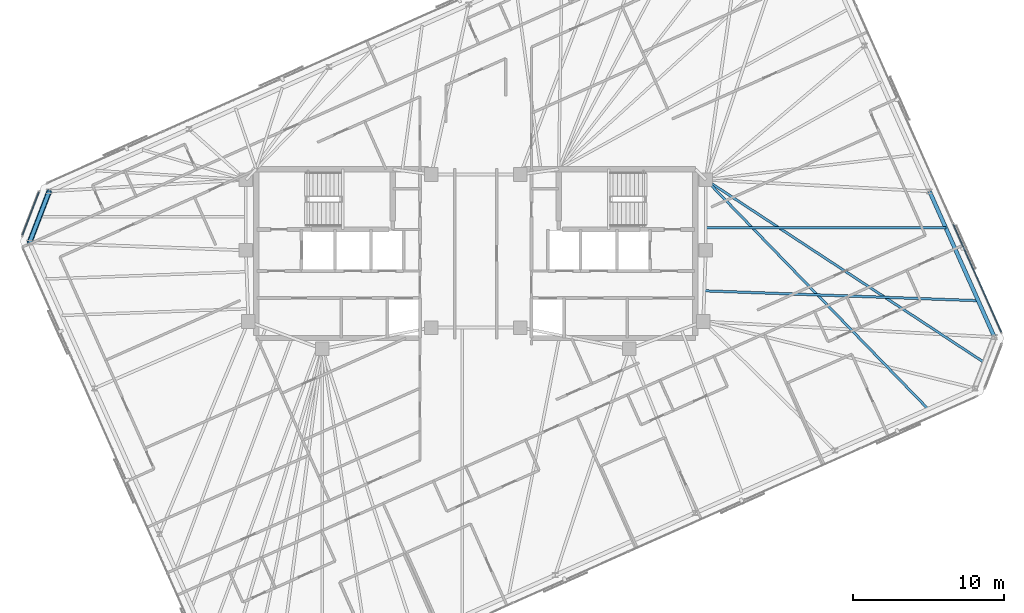
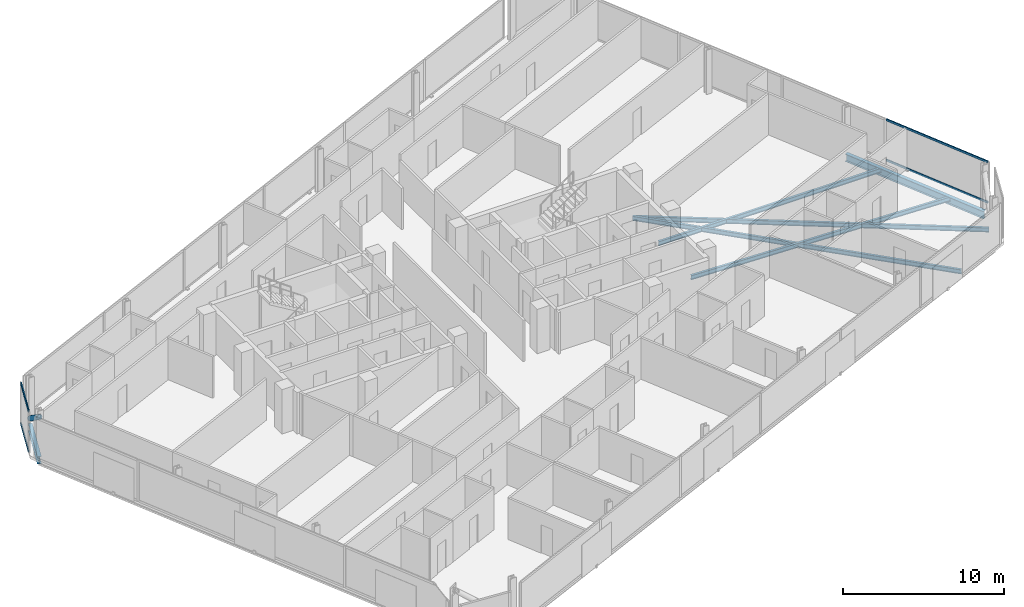
# One storey, part 8 of 19: 6 beams, 5 members, 2 elements without a shape of their own.
"""IFC4 building model written with IfcOpenShell, lengths in metres."""

import ifcopenshell
import ifcopenshell.guid

model = None  # the IFC model being written
_history = None  # IfcOwnerHistory: only IFC2X3 demands one
_inside = {}  # id of a spatial element -> (the spatial element, [elements in it])
_under = {}  # id of a project, library or spatial element -> (it, [spatial elements below it])
_declared = {}  # id of a project -> (the project, [libraries it declares])
_typed = {}  # id of a type object -> (the type object, [elements of that type])
_made_of = {}  # id of a material, layer set ... -> (it, [elements and type objects made of it])


def new_model(schema):
    """Start an empty IFC model of exactly this schema.

    Asked for "IFC4X3", IfcOpenShell would pick the latest addendum, in which some entities
    have other attributes; the version numbers below select the first issue.
    IFC2X3 requires an IfcOwnerHistory on every rooted entity: one is made here for all.
    """
    global model, _history
    if schema == "IFC4X3":
        model = ifcopenshell.file(schema_version=(4, 3, 0, 0))
    else:
        model = ifcopenshell.file(schema=schema)
    _inside.clear()
    _under.clear()
    _declared.clear()
    _typed.clear()
    _made_of.clear()
    _history = None
    if model.schema == "IFC2X3":
        org = make("IfcOrganization", Name="unknown")
        user = make(
            "IfcPersonAndOrganization",
            ThePerson=make("IfcPerson", FamilyName="unknown"),
            TheOrganization=org,
        )
        app = make(
            "IfcApplication",
            ApplicationDeveloper=org,
            Version="unknown",
            ApplicationFullName="unknown",
            ApplicationIdentifier="unknown",
        )
        _history = make(
            "IfcOwnerHistory",
            OwningUser=user,
            OwningApplication=app,
            ChangeAction="ADDED",
            CreationDate=0,
        )
    return model


def make(cls, **values):
    """One entity of the class cls with the attributes given. An attribute that is None is left unset."""
    return model.create_entity(
        cls, **{name: value for name, value in values.items() if value is not None}
    )


def rooted(cls, **values):
    """An entity with a GlobalId (a new one), such as an element, a storey or a relation."""
    return make(cls, GlobalId=ifcopenshell.guid.new(), OwnerHistory=_history, **values)


def si_unit(unit_type, name, prefix=None):
    """IfcSIUnit, for example si_unit("LENGTHUNIT", "METRE", prefix="MILLI")."""
    return make("IfcSIUnit", UnitType=unit_type, Prefix=prefix, Name=name)


def assignment(units):
    """IfcUnitAssignment: the units of a project."""
    return None if units is None else make("IfcUnitAssignment", Units=units)


def point(xyz):
    """IfcCartesianPoint."""
    return None if xyz is None else make("IfcCartesianPoint", Coordinates=xyz)


def direction(xyz):
    """IfcDirection."""
    return None if xyz is None else make("IfcDirection", DirectionRatios=xyz)


def frame(location, z_axis=None, x_axis=None):
    """IfcAxis2Placement3D, a coordinate frame: its origin and axes. An axis left out is left unset."""
    return make(
        "IfcAxis2Placement3D",
        Location=point(location),
        Axis=direction(z_axis),
        RefDirection=direction(x_axis),
    )


def frame_2d(location, x_axis=None):
    """IfcAxis2Placement2D, a coordinate frame in the plane: its origin and x axis."""
    return make(
        "IfcAxis2Placement2D", Location=point(location), RefDirection=direction(x_axis)
    )


def origin():
    """The frame at (0, 0, 0) with its axes left unset."""
    return frame((0.0, 0.0, 0.0))


def origin_2d():
    """The frame at (0, 0) in the plane with its x axis left unset."""
    return frame_2d((0.0, 0.0))


def place(relative_to, where):
    """IfcLocalPlacement: puts the frame where relative to a parent placement (None: the world)."""
    return make(
        "IfcLocalPlacement", PlacementRelTo=relative_to, RelativePlacement=where
    )


def context(
    kind, dimensions, precision=None, world=None, true_north=None, identifier=None
):
    """IfcGeometricRepresentationContext, for example the 3D "Model" context."""
    return make(
        "IfcGeometricRepresentationContext",
        ContextIdentifier=identifier,
        ContextType=kind,
        CoordinateSpaceDimension=dimensions,
        Precision=precision,
        WorldCoordinateSystem=world,
        TrueNorth=true_north,
    )


def subcontext(parent, identifier, kind, view, scale=None):
    """IfcGeometricRepresentationSubContext, for example "Body" below "Model"."""
    return make(
        "IfcGeometricRepresentationSubContext",
        ContextIdentifier=identifier,
        ContextType=kind,
        ParentContext=parent,
        TargetScale=scale,
        TargetView=view,
    )


def project(units=None, contexts=None):
    """IfcProject with its units and contexts."""
    return rooted(
        "IfcProject",
        Name="project",
        RepresentationContexts=contexts,
        UnitsInContext=assignment(units),
    )


def spatial(cls, under=None, at=None, **own):
    """A site, building, storey or space (cls), placed at a placement, below another one or the project."""
    s = rooted(cls, ObjectPlacement=at, **own)
    if under is not None:
        _under.setdefault(under.id(), (under, []))[1].append(s)
    return s


def profile(cls, at=None, kind="AREA", **sizes):
    """A parametric profile (cls). Its sizes go by their IFC names, for example OverallWidth=200.0."""
    return make(cls, ProfileType=kind, Position=at, **sizes)


def rectangle(**sizes):
    """IfcRectangleProfileDef."""
    return profile("IfcRectangleProfileDef", **sizes)


def hollow_circle(**sizes):
    """IfcCircleHollowProfileDef."""
    return profile("IfcCircleHollowProfileDef", **sizes)


def i_section(**sizes):
    """IfcIShapeProfileDef."""
    return profile("IfcIShapeProfileDef", **sizes)


def extrude(swept, where, along, depth):
    """IfcExtrudedAreaSolid: the profile swept, set in the frame where, extruded along a direction by depth."""
    return make(
        "IfcExtrudedAreaSolid",
        SweptArea=swept,
        Position=where,
        ExtrudedDirection=direction(along),
        Depth=depth,
    )


def shape(context_of_items, identifier, shape_type, items):
    """IfcShapeRepresentation: the items that make up one representation, for example the "Body"."""
    return make(
        "IfcShapeRepresentation",
        ContextOfItems=context_of_items,
        RepresentationIdentifier=identifier,
        RepresentationType=shape_type,
        Items=items,
    )


def material(Name=None, Category=None):
    """IfcMaterial."""
    return make("IfcMaterial", Name=Name, Category=Category)


def material_profile(
    of_material, cross_section, Name=None, Category=None, Priority=None
):
    """IfcMaterialProfile: a cross section and its material."""
    return make(
        "IfcMaterialProfile",
        Name=Name,
        Material=of_material,
        Profile=cross_section,
        Priority=Priority,
        Category=Category,
    )


def profile_set(profiles, Name=None, composite=None):
    """IfcMaterialProfileSet."""
    return make(
        "IfcMaterialProfileSet",
        Name=Name,
        MaterialProfiles=profiles,
        CompositeProfile=composite,
    )


def made_of(thing, what):
    """Note that an element or type object is made of a material, layer set ...; save() writes the relation."""
    if what is not None:
        _made_of.setdefault(what.id(), (what, []))[1].append(thing)
    return thing


def type_object(cls, material=None, **own):
    """A type object (cls), such as IfcWallType, which elements share."""
    return made_of(rooted(cls, **own), material)


def element(
    cls,
    number,
    at=None,
    inside=None,
    cuts=None,
    type_object=None,
    material=None,
    context=None,
    identifier="Body",
    shape_type=None,
    held_by="IfcProductDefinitionShape",
    body=None,
    shapes=None,
    **own,
):
    """One element of the class cls, such as IfcWall. Its Tag is "e" and its number.

    at: its placement. inside: the storey or other place that contains it. cuts: it is an
    opening in that element (IfcRelVoidsElement). A single representation is given by context,
    identifier, shape_type and body (its items); several are given by shapes. held_by: the class
    of the entity that holds the representations. save() writes the other relations.
    """
    e = rooted(cls, Tag="e%d" % number, ObjectPlacement=at, **own)
    if body is not None:
        shapes = [shape(context, identifier, shape_type, body)]
    if shapes is not None:
        e.Representation = make(held_by, Representations=shapes)
    if inside is not None:
        _inside.setdefault(inside.id(), (inside, []))[1].append(e)
    if cuts is not None:
        rooted(
            "IfcRelVoidsElement", RelatingBuildingElement=cuts, RelatedOpeningElement=e
        )
    if type_object is not None:
        _typed.setdefault(type_object.id(), (type_object, []))[1].append(e)
    return made_of(e, material)


def aggregate(whole, parts):
    """IfcRelAggregates: a whole, such as a stair, and the parts it consists of."""
    return rooted("IfcRelAggregates", RelatingObject=whole, RelatedObjects=parts)


def save(model, path):
    """Write the relations noted so far, then the file.

    IfcRelAggregates (storeys below a building ...), IfcRelContainedInSpatialStructure (elements
    in a storey), IfcRelDefinesByType, IfcRelAssociatesMaterial and IfcRelDeclares: one each for
    every whole, place, type object, material and project.
    """
    for whole, parts in _under.values():
        aggregate(whole, parts)
    for where, things in _inside.values():
        rooted(
            "IfcRelContainedInSpatialStructure",
            RelatedElements=things,
            RelatingStructure=where,
        )
    for kind, things in _typed.values():
        rooted("IfcRelDefinesByType", RelatedObjects=things, RelatingType=kind)
    for what, things in _made_of.values():
        rooted("IfcRelAssociatesMaterial", RelatedObjects=things, RelatingMaterial=what)
    for by, libraries in _declared.values():
        rooted("IfcRelDeclares", RelatingContext=by, RelatedDefinitions=libraries)
    model.write(path)


model = new_model("IFC4")

# Units and contexts
model_context = context("Model", 3, precision=1e-05, world=origin(), true_north=direction((0.0, 1.0)))
body_context = subcontext(model_context, "Body", "Model", "MODEL_VIEW")
ifc_project = project(units=[si_unit("LENGTHUNIT", "METRE"), si_unit("AREAUNIT", "SQUARE_METRE"), si_unit("VOLUMEUNIT", "CUBIC_METRE"), si_unit("PLANEANGLEUNIT", "RADIAN"), si_unit("MASSUNIT", "GRAM", prefix="KILO")], contexts=[model_context])

# Site, building, storey
site_placement = place(None, origin())
site = spatial("IfcSite", under=ifc_project, at=site_placement, CompositionType="ELEMENT")
building_placement = place(site_placement, origin())
building = spatial("IfcBuilding", under=site, at=building_placement, Name="Menara Jurai Vektor", CompositionType="ELEMENT")
storey_placement = place(building_placement, frame((0.0, 0.0, 295.300048828125)))
storey = spatial("IfcBuildingStorey", under=building, at=storey_placement, Name="L79", CompositionType="ELEMENT", Elevation=295.300048828125)

# Curtain wall, members
ifc_material_1 = material(Name="Anodised Pale Aluminium & Low-E Double Glazing", Category="aluminium")
curtain_wall_type = type_object("IfcCurtainWallType", Name="CW-BLK5", PredefinedType="NOTDEFINED", material=ifc_material_1)
curtain_wall_1_placement = place(storey_placement, origin())
curtain_wall_1 = element("IfcCurtainWall", 1, at=curtain_wall_1_placement, inside=storey, type_object=curtain_wall_type, Name="Unitised Curtain Wall L79 F03", PredefinedType="NOTDEFINED")
ifc_material_2 = material(Name="Anodised Pale Aluminium Transom", Category="aluminium")
ifc_material_profile_1 = material_profile(ifc_material_2, rectangle(XDim=0.074951171875, YDim=0.155029296875, at=origin_2d()), Name="ALU TRN 75x155")
ifc_profile_set_1 = profile_set([ifc_material_profile_1], Name="Anodised Pale Aluminium Transom")
member_type_1 = type_object("IfcMemberType", Name="CW-BLK5-TRN", PredefinedType="USERDEFINED", material=ifc_profile_set_1)
member_1_placement = place(storey_placement, frame((34.840087890625, -5.19189453125, 0.037353515625), z_axis=(-0.406739711224, 0.913544091609, 0.0), x_axis=(-0.913544091609, -0.406739711224, 0.0)))
member_1 = element("IfcMember", 2, at=member_1_placement, type_object=member_type_1, Name="CW-05 transom 1.1", ObjectType="TRANSOM", PredefinedType="USERDEFINED", context=body_context, shape_type="SweptSolid", body=[
    extrude(rectangle(XDim=0.074951171875, YDim=0.155029296875, at=origin_2d()), origin(), (0.0, 0.0, 1.0), 7.797607421875),
])
member_2_placement = place(storey_placement, frame((34.840087890625, -5.19189453125, 3.08740234375), z_axis=(-0.406739711224, 0.913544091609, 0.0), x_axis=(-0.913544091609, -0.406739711224, 0.0)))
member_2 = element("IfcMember", 3, at=member_2_placement, type_object=member_type_1, Name="CW-05 transom 1.2", ObjectType="TRANSOM", PredefinedType="USERDEFINED", context=body_context, shape_type="SweptSolid", body=[
    extrude(rectangle(XDim=0.074951171875, YDim=0.155029296875, at=origin_2d()), origin(), (0.0, 0.0, 1.0), 7.797607421875),
])
aggregate(curtain_wall_1, [member_1, member_2])

curtain_wall_2_placement = place(storey_placement, origin())
curtain_wall_2 = element("IfcCurtainWall", 4, at=curtain_wall_2_placement, inside=storey, type_object=curtain_wall_type, Name="Unitised Curtain Wall L79 F06", PredefinedType="NOTDEFINED")
member_3_placement = place(storey_placement, frame((-28.96923828125, 4.079345703125, 0.037353515625), z_axis=(-0.358324523823, -0.933597094911, 0.0), x_axis=(0.933597094911, -0.358324523823, 0.0)))
member_3 = element("IfcMember", 5, at=member_3_placement, type_object=member_type_1, Name="CW-05 transom 1.1", ObjectType="TRANSOM", PredefinedType="USERDEFINED", context=body_context, shape_type="SweptSolid", body=[
    extrude(rectangle(XDim=0.074951171875, YDim=0.155029296875, at=origin_2d()), origin(), (0.0, 0.0, 1.0), 3.049560546875),
])
member_4_placement = place(storey_placement, frame((-28.96923828125, 4.079345703125, 3.08740234375), z_axis=(-0.358324523823, -0.933597094911, 0.0), x_axis=(0.933597094911, -0.358324523823, 0.0)))
member_4 = element("IfcMember", 6, at=member_4_placement, type_object=member_type_1, Name="CW-05 transom 1.2", ObjectType="TRANSOM", PredefinedType="USERDEFINED", context=body_context, shape_type="SweptSolid", body=[
    extrude(rectangle(XDim=0.074951171875, YDim=0.155029296875, at=origin_2d()), origin(), (0.0, 0.0, 1.0), 3.049560546875),
])
aggregate(curtain_wall_2, [member_3, member_4])

# Member
ifc_material_3 = material(Name="Steel S460", Category="steel")
ifc_material_profile_2 = material_profile(ifc_material_3, hollow_circle(Radius=0.177734375, WallThickness=0.01611328125, at=origin_2d()), Name="CHS 355.6x16")
ifc_profile_set_2 = profile_set([ifc_material_profile_2], Name="Steel S460")
member_type_2 = type_object("IfcMemberType", Name="STR-BR-356", PredefinedType="BRACE", material=ifc_profile_set_2)
member_5_placement = place(storey_placement, frame((-28.2880859375, 4.1328125, 0.14990234375), z_axis=(-0.2906257681, -0.757042028889, 0.585170085882), x_axis=(0.933570293083, -0.358394346877, 0.0)))
element("IfcMember", 7, at=member_5_placement, inside=storey, type_object=member_type_2, Name="Exoskeleton Corner Brace L79-3", PredefinedType="BRACE", context=body_context, shape_type="SweptSolid", body=[
    extrude(hollow_circle(Radius=0.177734375, WallThickness=0.01611328125, at=origin_2d()), origin(), (0.0, 0.0, 1.0), 4.48583984375),
])

# Beams
ifc_material_4 = material(Name="Steel S355", Category="steel")
ifc_material_profile_3 = material_profile(ifc_material_4, i_section(OverallWidth=0.1650390625, OverallDepth=0.330078125, WebThickness=0.009033203125, FlangeThickness=0.013916015625, at=origin_2d()), Name="PG 330x165x46")
ifc_profile_set_3 = profile_set([ifc_material_profile_3], Name="Steel S355")
beam_type_1 = type_object("IfcBeamType", Name="STR-JS-330", PredefinedType="JOIST", material=ifc_profile_set_3)
beam_1_placement = place(storey_placement, frame((29.996826171875, -10.30908203125, -0.39013671875), z_axis=(-0.696114697983, 0.717930586653, 0.0), x_axis=(-0.717930586653, -0.696114697983, 0.0)))
element("IfcBeam", 8, at=beam_1_placement, inside=storey, type_object=beam_type_1, Name="Radial Secondary Floor Joist L79-JS06", PredefinedType="JOIST", context=body_context, shape_type="SweptSolid", body=[
    extrude(i_section(OverallWidth=0.1650390625, OverallDepth=0.330078125, WebThickness=0.009033203125, FlangeThickness=0.013916015625, at=origin_2d()), origin(), (0.0, 0.0, 1.0), 21.1845703125),
])
beam_2_placement = place(storey_placement, frame((33.739990234375, -7.23486328125, -0.39013671875), z_axis=(-0.836033194478, 0.54867886576, 0.0), x_axis=(-0.54867886576, -0.836033194478, 0.0)))
element("IfcBeam", 9, at=beam_2_placement, inside=storey, type_object=beam_type_1, Name="Radial Secondary Floor Joist L79-JS07", PredefinedType="JOIST", context=body_context, shape_type="SweptSolid", body=[
    extrude(i_section(OverallWidth=0.1650390625, OverallDepth=0.330078125, WebThickness=0.009033203125, FlangeThickness=0.013916015625, at=origin_2d()), origin(), (0.0, 0.0, 1.0), 22.116455078125),
])
beam_3_placement = place(storey_placement, frame((33.315185546875, -3.119384765625, -0.39013671875), z_axis=(-0.999351699571, 0.036002507761, 0.0), x_axis=(-0.036002507761, -0.999351699571, 0.0)))
element("IfcBeam", 10, at=beam_3_placement, inside=storey, type_object=beam_type_1, Name="Radial Secondary Floor Joist L79-JS08", PredefinedType="JOIST", context=body_context, shape_type="SweptSolid", body=[
    extrude(i_section(OverallWidth=0.1650390625, OverallDepth=0.330078125, WebThickness=0.009033203125, FlangeThickness=0.013916015625, at=origin_2d()), origin(), (0.0, 0.0, 1.0), 18.173583984375),
])
beam_4_placement = place(storey_placement, frame((31.16259765625, 1.7158203125, -0.39013671875), z_axis=(-1.0, 0.0, 0.0), x_axis=(0.0, -1.0, 0.0)))
element("IfcBeam", 11, at=beam_4_placement, inside=storey, type_object=beam_type_1, Name="Radial Secondary Floor Joist L79-JS09", PredefinedType="JOIST", context=body_context, shape_type="SweptSolid", body=[
    extrude(i_section(OverallWidth=0.1650390625, OverallDepth=0.330078125, WebThickness=0.009033203125, FlangeThickness=0.013916015625, at=origin_2d()), origin(), (0.0, 0.0, 1.0), 15.91259765625),
])
ifc_material_profile_4 = material_profile(ifc_material_4, i_section(OverallWidth=0.260009765625, OverallDepth=0.570068359375, WebThickness=0.013916015625, FlangeThickness=0.02392578125, at=origin_2d()), Name="PG 570x260x145")
ifc_profile_set_4 = profile_set([ifc_material_profile_4], Name="Steel S355")
beam_type_2 = type_object("IfcBeamType", Name="STR-SP-570", PredefinedType="SPANDREL", material=ifc_profile_set_4)
beam_5_placement = place(storey_placement, frame((34.3916015625, -5.536865234375, -0.510009765625), z_axis=(-0.40673543049, 0.91354599752, 0.0), x_axis=(-0.91354599752, -0.40673543049, 0.0)))
element("IfcBeam", 12, at=beam_5_placement, inside=storey, type_object=beam_type_2, Name="Exoskeleton Spandrel Beam L79-07", PredefinedType="SPANDREL", context=body_context, shape_type="SweptSolid", body=[
    extrude(i_section(OverallWidth=0.260009765625, OverallDepth=0.570068359375, WebThickness=0.013916015625, FlangeThickness=0.02392578125, at=origin_2d()), origin(), (0.0, 0.0, 1.0), 10.585205078125),
])
beam_6_placement = place(storey_placement, frame((-28.2880859375, 4.1328125, -0.510009765625), z_axis=(-0.358394346877, -0.933570293083, 0.0), x_axis=(0.933570293083, -0.358394346877, 0.0)))
element("IfcBeam", 13, at=beam_6_placement, inside=storey, type_object=beam_type_2, Name="Exoskeleton Spandrel Beam L79-16", PredefinedType="SPANDREL", context=body_context, shape_type="SweptSolid", body=[
    extrude(i_section(OverallWidth=0.260009765625, OverallDepth=0.570068359375, WebThickness=0.013916015625, FlangeThickness=0.02392578125, at=origin_2d()), origin(), (0.0, 0.0, 1.0), 3.6376953125),
])

save(model, "model.ifc")
